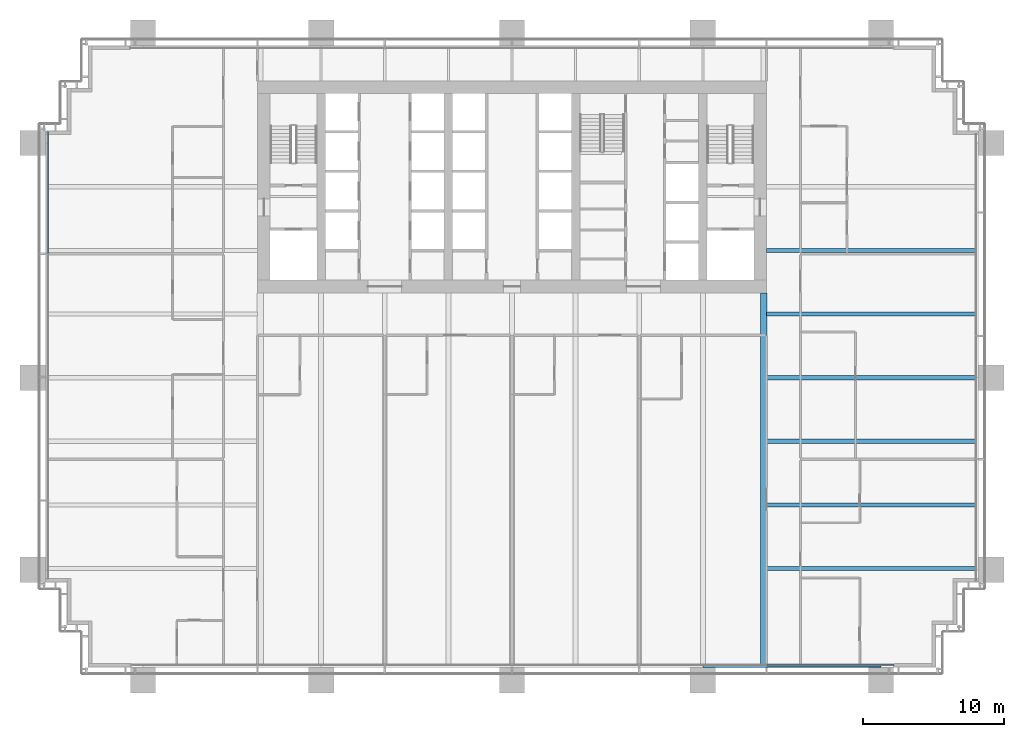
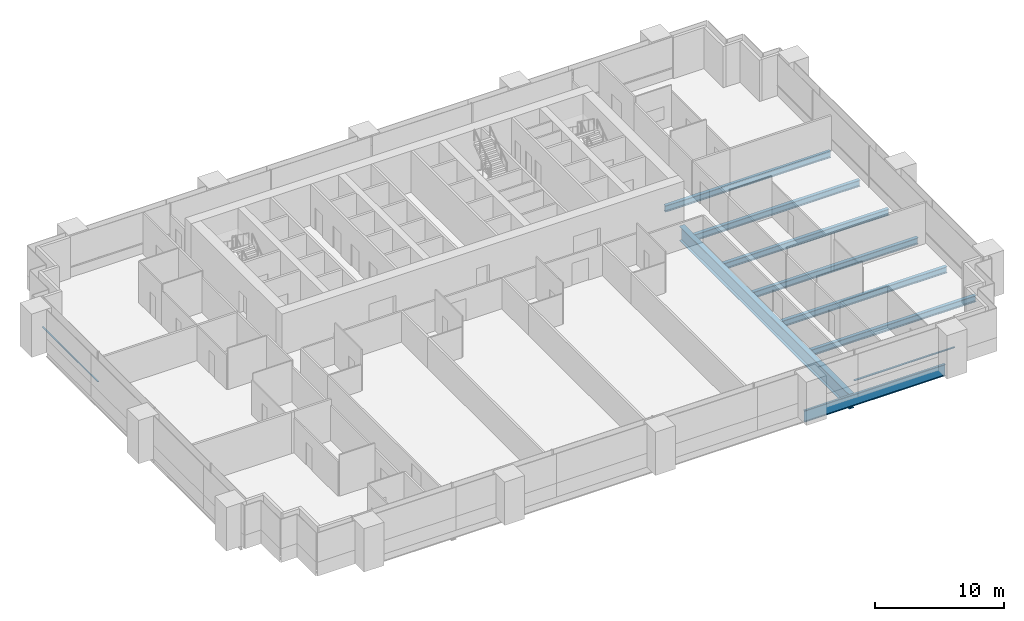
# One storey, part 6 of 19: 8 beams, 2 members, 2 elements without a shape of their own.
"""IFC4 building model written with IfcOpenShell, lengths in metres."""

from ifc_helpers import new_model, si_unit, direction, frame, origin, origin_2d, place, context, subcontext, project, spatial, rectangle, i_section, extrude, material, material_profile, profile_set, type_object, element, aggregate, save


model = new_model("IFC4")

# Units and contexts
model_context = context("Model", 3, precision=1e-05, world=origin(), true_north=direction((0.0, 1.0)))
body_context = subcontext(model_context, "Body", "Model", "MODEL_VIEW")
ifc_project = project(units=[si_unit("LENGTHUNIT", "METRE"), si_unit("AREAUNIT", "SQUARE_METRE"), si_unit("VOLUMEUNIT", "CUBIC_METRE"), si_unit("PLANEANGLEUNIT", "RADIAN"), si_unit("MASSUNIT", "GRAM", prefix="KILO")], contexts=[model_context])

# Site, building, storey
site_placement = place(None, origin())
site = spatial("IfcSite", under=ifc_project, at=site_placement, CompositionType="ELEMENT")
building_placement = place(site_placement, origin())
building = spatial("IfcBuilding", under=site, at=building_placement, Name="Rattan Terrace Tower", CompositionType="ELEMENT")
storey_placement = place(building_placement, frame((0.0, 0.0, 65.199951171875)))
storey = spatial("IfcBuildingStorey", under=building, at=storey_placement, Name="L14", CompositionType="ELEMENT", Elevation=65.199951171875)

# Curtain wall, member
ifc_material_1 = material(Name="Aluminium and glass", Category="aluminium")
curtain_wall_type = type_object("IfcCurtainWallType", Name="Facade Unitised Curtain Wall", PredefinedType="NOTDEFINED", material=ifc_material_1)
curtain_wall_1_placement = place(storey_placement, origin())
curtain_wall_1 = element("IfcCurtainWall", 1, at=curtain_wall_1_placement, inside=storey, type_object=curtain_wall_type, Name="Curtain wall L14-3", PredefinedType="NOTDEFINED")
ifc_material_2 = material(Name="Aluminium", Category="aluminium")
ifc_material_profile_1 = material_profile(ifc_material_2, rectangle(XDim=0.1201171875, YDim=0.06005859375, at=origin_2d()), Name="Aluminium 120x60")
ifc_profile_set_1 = profile_set([ifc_material_profile_1], Name="Aluminium")
member_type = type_object("IfcMemberType", Name="Facade CW Transom 120x60", PredefinedType="USERDEFINED", material=ifc_profile_set_1)
member_1_placement = place(storey_placement, frame((-32.830078125, 3.89501953125, 1.0), z_axis=(0.0, -1.0, 0.0), x_axis=(1.0, 0.0, 0.0)))
member_1 = element("IfcMember", 2, at=member_1_placement, type_object=member_type, Name="Transom cwl-L14-003.1", ObjectType="TRANSOM", PredefinedType="USERDEFINED", context=body_context, shape_type="SweptSolid", body=[
    extrude(rectangle(XDim=0.1201171875, YDim=0.06005859375, at=origin_2d()), origin(), (0.0, 0.0, 1.0), 8.592041015625),
])
aggregate(curtain_wall_1, [member_1])

curtain_wall_2_placement = place(storey_placement, origin())
curtain_wall_2 = element("IfcCurtainWall", 3, at=curtain_wall_2_placement, inside=storey, type_object=curtain_wall_type, Name="Curtain wall L14-4", PredefinedType="NOTDEFINED")
member_2_placement = place(storey_placement, frame((18.030029296875, -33.830078125, 1.0), z_axis=(1.0, 0.0, 0.0), x_axis=(0.0, 1.0, 0.0)))
member_2 = element("IfcMember", 4, at=member_2_placement, type_object=member_type, Name="Transom cwl-L14-004.6", ObjectType="TRANSOM", PredefinedType="USERDEFINED", context=body_context, shape_type="SweptSolid", body=[
    extrude(rectangle(XDim=0.1201171875, YDim=0.06005859375, at=origin_2d()), origin(), (0.0, 0.0, 1.0), 8.969970703125),
])
aggregate(curtain_wall_2, [member_2])

# Beams
ifc_material_3 = material(Name="Steel S460", Category="steel")
ifc_material_profile_2 = material_profile(ifc_material_3, i_section(OverallWidth=0.449951171875, OverallDepth=1.39990234375, WebThickness=0.02197265625, FlangeThickness=0.054931640625, at=origin_2d()), Name="PG 1400x450-22-55")
ifc_profile_set_2 = profile_set([ifc_material_profile_2], Name="Steel S460")
beam_type_1 = type_object("IfcBeamType", Name="Frame core girder PG 1400x450-22-55", PredefinedType="BEAM", material=ifc_profile_set_2)
beam_1_placement = place(storey_placement, frame((17.800048828125, -33.820068359375, -0.89990234375), z_axis=(0.0, 1.0, 0.0), x_axis=(-1.0, 0.0, 0.0)))
element("IfcBeam", 5, at=beam_1_placement, inside=storey, type_object=beam_type_1, Name="gdr-L14-014", PredefinedType="BEAM", context=body_context, shape_type="SweptSolid", body=[
    extrude(i_section(OverallWidth=0.449951171875, OverallDepth=1.39990234375, WebThickness=0.02197265625, FlangeThickness=0.054931640625, at=origin_2d()), origin(), (0.0, 0.0, 1.0), 26.320068359375),
])
ifc_material_4 = material(Name="Steel S460", Category="steel")
ifc_material_profile_3 = material_profile(ifc_material_4, i_section(OverallWidth=0.179931640625, OverallDepth=1.10009765625, WebThickness=0.01611328125, FlangeThickness=0.050048828125, at=origin_2d()), Name="PG 1100x180-16-50")
ifc_profile_set_3 = profile_set([ifc_material_profile_3], Name="Steel S460")
beam_type_2 = type_object("IfcBeamType", Name="Frame edge girder PG 1100x180-16-50", PredefinedType="SPANDREL", material=ifc_profile_set_3)
beam_2_placement = place(storey_placement, frame((13.5, -33.909912109375, -0.75), z_axis=(1.0, 0.0, 0.0), x_axis=(0.0, 1.0, 0.0)))
element("IfcBeam", 6, at=beam_2_placement, inside=storey, type_object=beam_type_2, Name="gdr-L14-004", PredefinedType="SPANDREL", context=body_context, shape_type="SweptSolid", body=[
    extrude(i_section(OverallWidth=0.179931640625, OverallDepth=1.10009765625, WebThickness=0.01611328125, FlangeThickness=0.050048828125, at=origin_2d()), origin(), (0.0, 0.0, 1.0), 12.60009765625),
])
ifc_material_5 = material(Name="Steel S355", Category="steel")
ifc_material_profile_4 = material_profile(ifc_material_5, i_section(OverallWidth=0.300048828125, OverallDepth=0.60009765625, WebThickness=0.015380859375, FlangeThickness=0.030029296875, FilletRadius=0.027099609375, at=origin_2d()), Name="HE 600 B")
ifc_profile_set_4 = profile_set([ifc_material_profile_4], Name="Steel S355")
beam_type_3 = type_object("IfcBeamType", Name="Frame floor beam HE 600 B", PredefinedType="JOIST", material=ifc_profile_set_4)
for number, where, z_axis, x_axis, name in (
    (7, (18.0, -27.0, -0.5), (1.0, 0.0, 0.0), (0.0, 1.0, 0.0), "bm-L14-011"),
    (8, (18.0, -22.5, -0.5), (1.0, 0.0, 0.0), (0.0, 1.0, 0.0), "bm-L14-013"),
    (9, (18.0, -18.0, -0.5), (1.0, 0.0, 0.0), (0.0, 1.0, 0.0), "bm-L14-015"),
    (10, (18.0, -13.5, -0.5), (1.0, 0.0, 0.0), (0.0, 1.0, 0.0), "bm-L14-017"),
    (11, (18.0, -9.0, -0.5), (1.0, 0.0, 0.0), (0.0, 1.0, 0.0), "bm-L14-019"),
    (12, (18.0, -4.5, -0.5), (1.0, 0.0, 0.0), (0.0, 1.0, 0.0), "bm-L14-021"),
):
    element("IfcBeam", number, at=place(storey_placement, frame(where, z_axis=z_axis, x_axis=x_axis)), inside=storey, type_object=beam_type_3, Name=name, PredefinedType="JOIST", context=body_context, shape_type="SweptSolid", body=[
        extrude(i_section(OverallWidth=0.300048828125, OverallDepth=0.60009765625, WebThickness=0.015380859375, FlangeThickness=0.030029296875, FilletRadius=0.027099609375, at=origin_2d()), origin(), (0.0, 0.0, 1.0), 14.820068359375),
    ])

save(model, "model.ifc")
